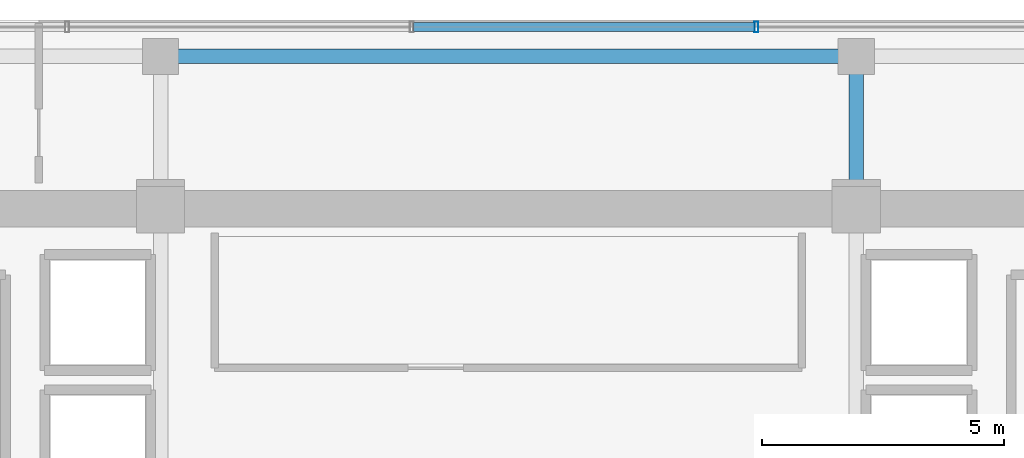
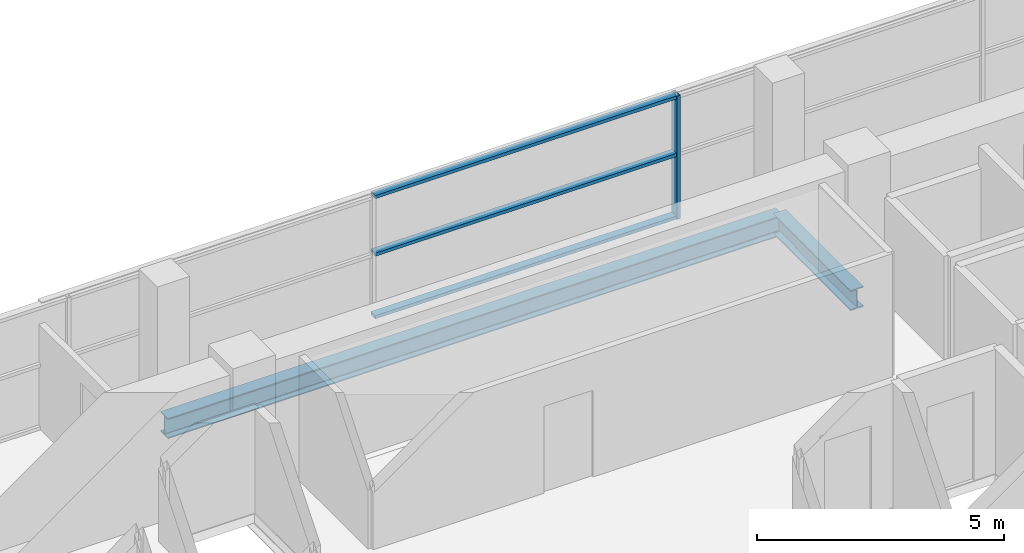
# One storey, part 14 of 23: 4 members, 2 beams, 1 element without a shape of its own.
"""IFC4 building model written with IfcOpenShell, lengths in metres."""

from ifc_helpers import new_model, si_unit, direction, frame, origin, origin_2d, place, context, subcontext, project, spatial, hollow_rectangle, i_section, extrude, source, transform, mapped, material, layer, layer_set, material_profile, profile_set, type_object, element, aggregate, save


model = new_model("IFC4")

# Units and contexts
model_context = context("Model", 3, precision=1e-05, world=origin(), true_north=direction((0.0, 1.0)))
body_context = subcontext(model_context, "Body", "Model", "MODEL_VIEW")
ifc_project = project(units=[si_unit("LENGTHUNIT", "METRE"), si_unit("AREAUNIT", "SQUARE_METRE"), si_unit("VOLUMEUNIT", "CUBIC_METRE"), si_unit("PLANEANGLEUNIT", "RADIAN"), si_unit("MASSUNIT", "GRAM", prefix="KILO")], contexts=[model_context])

# Site, building, storey
site_placement = place(None, origin())
site = spatial("IfcSite", under=ifc_project, at=site_placement, CompositionType="ELEMENT")
building_placement = place(site_placement, origin())
building = spatial("IfcBuilding", under=site, at=building_placement, Name="Zarnakvel Exchange Tower", CompositionType="ELEMENT")
storey_placement = place(building_placement, frame((0.0, 0.0, 149.5)))
storey = spatial("IfcBuildingStorey", under=building, at=storey_placement, Name="L41", CompositionType="ELEMENT", Elevation=149.5)

# Beams
ifc_material_1 = material(Name="Steel S355", Category="steel")
ifc_material_profile_1 = material_profile(ifc_material_1, i_section(OverallWidth=0.300048828125, OverallDepth=0.5, WebThickness=0.014404296875, FlangeThickness=0.028076171875, FilletRadius=0.027099609375, at=origin_2d()))
ifc_profile_set_1 = profile_set([ifc_material_profile_1], Name="Steel S355")
beam_type_1 = type_object("IfcBeamType", Name="G-06", PredefinedType="BEAM", material=ifc_profile_set_1)
beam_1_placement = place(storey_placement, frame((7.199951171875, 13.5, -0.47509765625), z_axis=(0.0, 1.0, 0.0), x_axis=(-1.0, 0.0, 0.0)))
element("IfcBeam", 1, at=beam_1_placement, inside=storey, type_object=beam_type_1, Name="L41 Tower N-S Frame Beam", PredefinedType="BEAM", context=body_context, shape_type="SweptSolid", body=[
    extrude(i_section(OverallWidth=0.300048828125, OverallDepth=0.5, WebThickness=0.014404296875, FlangeThickness=0.028076171875, FilletRadius=0.027099609375, at=origin_2d()), origin(), (0.0, 0.0, 1.0), 3.14990234375),
])
ifc_material_profile_2 = material_profile(ifc_material_1, i_section(OverallWidth=0.300048828125, OverallDepth=0.5, WebThickness=0.014404296875, FlangeThickness=0.028076171875, FilletRadius=0.027099609375, at=origin_2d()))
ifc_profile_set_2 = profile_set([ifc_material_profile_2], Name="Steel S355")
beam_type_2 = type_object("IfcBeamType", Name="SP-02", PredefinedType="SPANDREL", material=ifc_profile_set_2)
beam_2_placement = place(storey_placement, frame((-7.199951171875, 16.64990234375, -0.47509765625), z_axis=(1.0, 0.0, 0.0), x_axis=(0.0, 1.0, 0.0)))
element("IfcBeam", 2, at=beam_2_placement, inside=storey, type_object=beam_type_2, Name="L41 Tower E-W Frame Beam", PredefinedType="SPANDREL", context=body_context, shape_type="SweptSolid", body=[
    extrude(i_section(OverallWidth=0.300048828125, OverallDepth=0.5, WebThickness=0.014404296875, FlangeThickness=0.028076171875, FilletRadius=0.027099609375, at=origin_2d()), origin(), (0.0, 0.0, 1.0), 14.39990234375),
])

# Curtain wall, members
ifc_material_2 = material(Name="Architectural Bronze Anodised Aluminium", Category="aluminium")
ifc_layer = layer(ifc_material_2, 0.219970703125)
ifc_layer_set = layer_set([ifc_layer], Name="Architectural Bronze Anodised Aluminium")
curtain_wall_type = type_object("IfcCurtainWallType", Name="CW-03", PredefinedType="NOTDEFINED", material=ifc_layer_set)
curtain_wall_placement = place(storey_placement, origin())
curtain_wall = element("IfcCurtainWall", 3, at=curtain_wall_placement, inside=storey, type_object=curtain_wall_type, Name="L41 Curtain Wall CW-L41-N1 (CW-03)", PredefinedType="NOTDEFINED")
ifc_material_profile_3 = material_profile(ifc_material_2, hollow_rectangle(XDim=0.219970703125, YDim=0.080078125, WallThickness=0.0048828125, at=origin_2d()))
ifc_profile_set_3 = profile_set([ifc_material_profile_3], Name="Architectural Bronze Anodised Aluminium")
member_type_1 = type_object("IfcMemberType", Name="CWM-03", PredefinedType="MULLION", material=ifc_profile_set_3)
shared_shape_1 = source(origin(), body_context, "Body", "SweptSolid", [
    extrude(hollow_rectangle(XDim=0.219970703125, YDim=0.080078125, WallThickness=0.0048828125, at=origin_2d()), origin(), (0.0, 0.0, 1.0), 3.054931640625),
])
member_1_placement = place(storey_placement, frame((5.13330078125, 17.260009765625, 0.0), z_axis=(0.0, 0.0, 1.0), x_axis=(0.0, 1.0, 0.0)))
member_1 = element("IfcMember", 4, at=member_1_placement, type_object=member_type_1, Name="CW-03 mullion 5", PredefinedType="MULLION", context=body_context, shape_type="MappedRepresentation", body=[
    mapped(shared_shape_1, transform((0.0, 0.0, 0.0), x_axis=(1.0, 0.0, 0.0), y_axis=(0.0, 1.0, 0.0), z_axis=(0.0, 0.0, 1.0), scale=1.0)),
])
ifc_material_profile_4 = material_profile(ifc_material_2, hollow_rectangle(XDim=0.179931640625, YDim=0.080078125, WallThickness=0.00390625, at=origin_2d()))
ifc_profile_set_4 = profile_set([ifc_material_profile_4], Name="Architectural Bronze Anodised Aluminium")
member_type_2 = type_object("IfcMemberType", Name="CWT-03", PredefinedType="USERDEFINED", material=ifc_profile_set_4)
shared_shape_2 = source(origin(), body_context, "Body", "SweptSolid", [
    extrude(hollow_rectangle(XDim=0.179931640625, YDim=0.080078125, WallThickness=0.00390625, at=origin_2d()), origin(), (0.0, 0.0, 1.0), 7.05322265625),
])
member_2_placement = place(storey_placement, frame((-1.9599609375, 17.260009765625, 0.0400390625), z_axis=(1.0, 0.0, 0.0), x_axis=(0.0, 1.0, 0.0)))
member_2 = element("IfcMember", 5, at=member_2_placement, type_object=member_type_2, Name="CW-03 transom 4.1", ObjectType="TRANSOM", PredefinedType="USERDEFINED", context=body_context, shape_type="MappedRepresentation", body=[
    mapped(shared_shape_2, transform((0.0, 0.0, 0.0), x_axis=(1.0, 0.0, 0.0), y_axis=(0.0, 1.0, 0.0), z_axis=(0.0, 0.0, 1.0), scale=1.0)),
])
member_3_placement = place(storey_placement, frame((-1.9599609375, 17.260009765625, 1.588623046875), z_axis=(1.0, 0.0, 0.0), x_axis=(0.0, 1.0, 0.0)))
member_3 = element("IfcMember", 6, at=member_3_placement, type_object=member_type_2, Name="CW-03 transom 4.2", ObjectType="TRANSOM", PredefinedType="USERDEFINED", context=body_context, shape_type="MappedRepresentation", body=[
    mapped(shared_shape_2, transform((0.0, 0.0, 0.0), x_axis=(1.0, 0.0, 0.0), y_axis=(0.0, 1.0, 0.0), z_axis=(0.0, 0.0, 1.0), scale=1.0)),
])
member_4_placement = place(storey_placement, frame((-1.9599609375, 17.260009765625, 3.014892578125), z_axis=(1.0, 0.0, 0.0), x_axis=(0.0, 1.0, 0.0)))
member_4 = element("IfcMember", 7, at=member_4_placement, type_object=member_type_2, Name="CW-03 transom 4.3", ObjectType="TRANSOM", PredefinedType="USERDEFINED", context=body_context, shape_type="MappedRepresentation", body=[
    mapped(shared_shape_2, transform((0.0, 0.0, 0.0), x_axis=(1.0, 0.0, 0.0), y_axis=(0.0, 1.0, 0.0), z_axis=(0.0, 0.0, 1.0), scale=1.0)),
])
aggregate(curtain_wall, [member_1, member_2, member_3, member_4])

save(model, "model.ifc")
